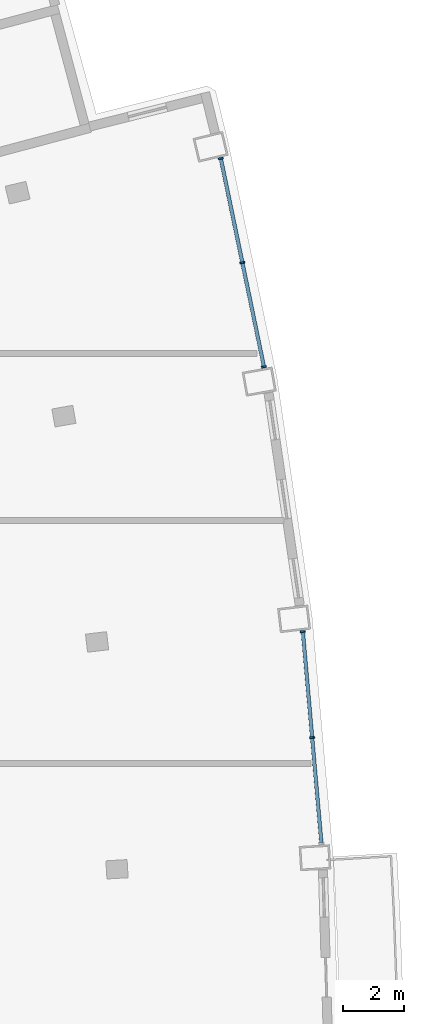
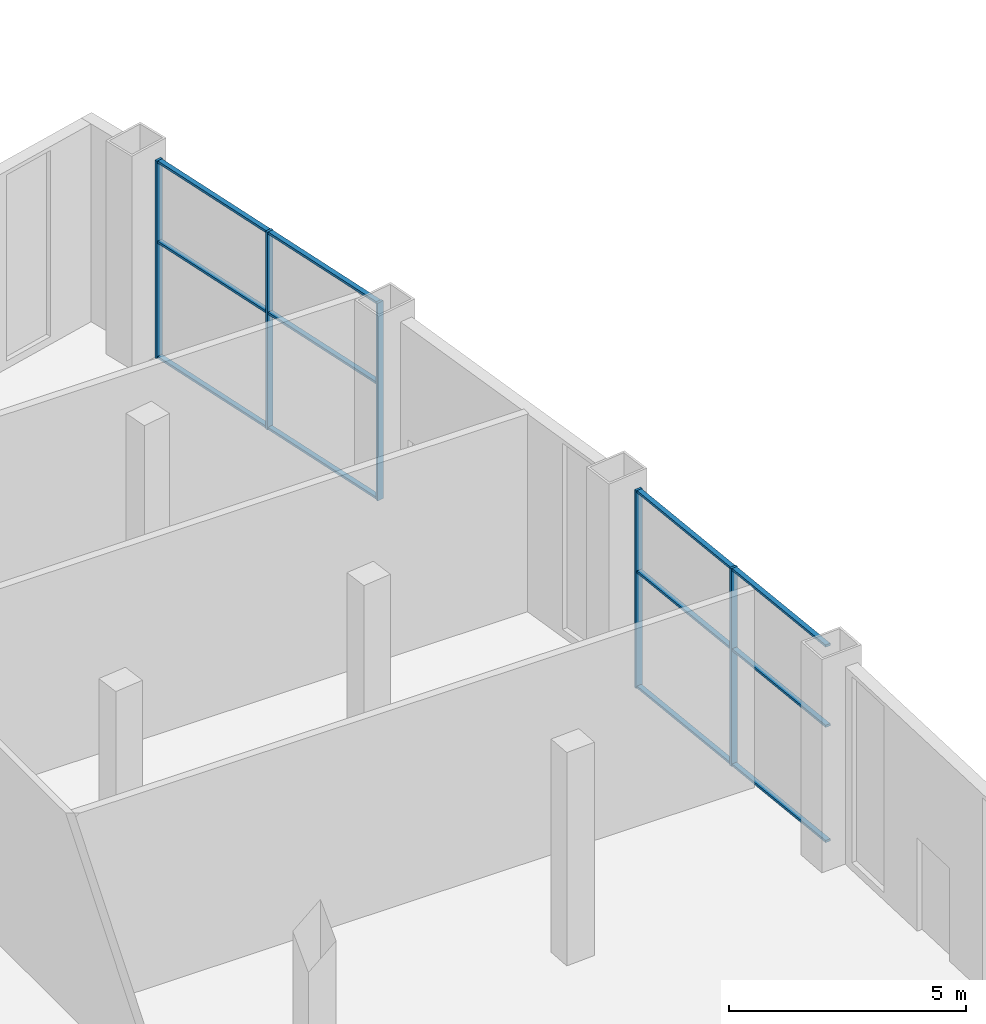
# One storey, part 4 of 13: 17 members, 2 elements without a shape of their own.
"""IFC4 building model written with IfcOpenShell, lengths in metres."""

import ifcopenshell
import ifcopenshell.guid

model = None  # the IFC model being written
_history = None  # IfcOwnerHistory: only IFC2X3 demands one
_inside = {}  # id of a spatial element -> (the spatial element, [elements in it])
_under = {}  # id of a project, library or spatial element -> (it, [spatial elements below it])
_declared = {}  # id of a project -> (the project, [libraries it declares])
_typed = {}  # id of a type object -> (the type object, [elements of that type])
_made_of = {}  # id of a material, layer set ... -> (it, [elements and type objects made of it])


def new_model(schema):
    """Start an empty IFC model of exactly this schema.

    Asked for "IFC4X3", IfcOpenShell would pick the latest addendum, in which some entities
    have other attributes; the version numbers below select the first issue.
    IFC2X3 requires an IfcOwnerHistory on every rooted entity: one is made here for all.
    """
    global model, _history
    if schema == "IFC4X3":
        model = ifcopenshell.file(schema_version=(4, 3, 0, 0))
    else:
        model = ifcopenshell.file(schema=schema)
    _inside.clear()
    _under.clear()
    _declared.clear()
    _typed.clear()
    _made_of.clear()
    _history = None
    if model.schema == "IFC2X3":
        org = make("IfcOrganization", Name="unknown")
        user = make(
            "IfcPersonAndOrganization",
            ThePerson=make("IfcPerson", FamilyName="unknown"),
            TheOrganization=org,
        )
        app = make(
            "IfcApplication",
            ApplicationDeveloper=org,
            Version="unknown",
            ApplicationFullName="unknown",
            ApplicationIdentifier="unknown",
        )
        _history = make(
            "IfcOwnerHistory",
            OwningUser=user,
            OwningApplication=app,
            ChangeAction="ADDED",
            CreationDate=0,
        )
    return model


def make(cls, **values):
    """One entity of the class cls with the attributes given. An attribute that is None is left unset."""
    return model.create_entity(
        cls, **{name: value for name, value in values.items() if value is not None}
    )


def rooted(cls, **values):
    """An entity with a GlobalId (a new one), such as an element, a storey or a relation."""
    return make(cls, GlobalId=ifcopenshell.guid.new(), OwnerHistory=_history, **values)


def si_unit(unit_type, name, prefix=None):
    """IfcSIUnit, for example si_unit("LENGTHUNIT", "METRE", prefix="MILLI")."""
    return make("IfcSIUnit", UnitType=unit_type, Prefix=prefix, Name=name)


def assignment(units):
    """IfcUnitAssignment: the units of a project."""
    return None if units is None else make("IfcUnitAssignment", Units=units)


def point(xyz):
    """IfcCartesianPoint."""
    return None if xyz is None else make("IfcCartesianPoint", Coordinates=xyz)


def direction(xyz):
    """IfcDirection."""
    return None if xyz is None else make("IfcDirection", DirectionRatios=xyz)


def frame(location, z_axis=None, x_axis=None):
    """IfcAxis2Placement3D, a coordinate frame: its origin and axes. An axis left out is left unset."""
    return make(
        "IfcAxis2Placement3D",
        Location=point(location),
        Axis=direction(z_axis),
        RefDirection=direction(x_axis),
    )


def frame_2d(location, x_axis=None):
    """IfcAxis2Placement2D, a coordinate frame in the plane: its origin and x axis."""
    return make(
        "IfcAxis2Placement2D", Location=point(location), RefDirection=direction(x_axis)
    )


def origin():
    """The frame at (0, 0, 0) with its axes left unset."""
    return frame((0.0, 0.0, 0.0))


def origin_2d():
    """The frame at (0, 0) in the plane with its x axis left unset."""
    return frame_2d((0.0, 0.0))


def place(relative_to, where):
    """IfcLocalPlacement: puts the frame where relative to a parent placement (None: the world)."""
    return make(
        "IfcLocalPlacement", PlacementRelTo=relative_to, RelativePlacement=where
    )


def context(
    kind, dimensions, precision=None, world=None, true_north=None, identifier=None
):
    """IfcGeometricRepresentationContext, for example the 3D "Model" context."""
    return make(
        "IfcGeometricRepresentationContext",
        ContextIdentifier=identifier,
        ContextType=kind,
        CoordinateSpaceDimension=dimensions,
        Precision=precision,
        WorldCoordinateSystem=world,
        TrueNorth=true_north,
    )


def subcontext(parent, identifier, kind, view, scale=None):
    """IfcGeometricRepresentationSubContext, for example "Body" below "Model"."""
    return make(
        "IfcGeometricRepresentationSubContext",
        ContextIdentifier=identifier,
        ContextType=kind,
        ParentContext=parent,
        TargetScale=scale,
        TargetView=view,
    )


def project(units=None, contexts=None):
    """IfcProject with its units and contexts."""
    return rooted(
        "IfcProject",
        Name="project",
        RepresentationContexts=contexts,
        UnitsInContext=assignment(units),
    )


def spatial(cls, under=None, at=None, **own):
    """A site, building, storey or space (cls), placed at a placement, below another one or the project."""
    s = rooted(cls, ObjectPlacement=at, **own)
    if under is not None:
        _under.setdefault(under.id(), (under, []))[1].append(s)
    return s


def profile(cls, at=None, kind="AREA", **sizes):
    """A parametric profile (cls). Its sizes go by their IFC names, for example OverallWidth=200.0."""
    return make(cls, ProfileType=kind, Position=at, **sizes)


def rectangle(**sizes):
    """IfcRectangleProfileDef."""
    return profile("IfcRectangleProfileDef", **sizes)


def extrude(swept, where, along, depth):
    """IfcExtrudedAreaSolid: the profile swept, set in the frame where, extruded along a direction by depth."""
    return make(
        "IfcExtrudedAreaSolid",
        SweptArea=swept,
        Position=where,
        ExtrudedDirection=direction(along),
        Depth=depth,
    )


def shape(context_of_items, identifier, shape_type, items):
    """IfcShapeRepresentation: the items that make up one representation, for example the "Body"."""
    return make(
        "IfcShapeRepresentation",
        ContextOfItems=context_of_items,
        RepresentationIdentifier=identifier,
        RepresentationType=shape_type,
        Items=items,
    )


def material(Name=None, Category=None):
    """IfcMaterial."""
    return make("IfcMaterial", Name=Name, Category=Category)


def layer(
    of_material, thickness, ventilated=None, Name=None, Category=None, Priority=None
):
    """IfcMaterialLayer: one layer of a wall or slab, of a material (None: an air gap)."""
    return make(
        "IfcMaterialLayer",
        Material=of_material,
        LayerThickness=thickness,
        IsVentilated=ventilated,
        Name=Name,
        Category=Category,
        Priority=Priority,
    )


def layer_set(layers, Name=None):
    """IfcMaterialLayerSet."""
    return make("IfcMaterialLayerSet", MaterialLayers=layers, LayerSetName=Name)


def material_profile(
    of_material, cross_section, Name=None, Category=None, Priority=None
):
    """IfcMaterialProfile: a cross section and its material."""
    return make(
        "IfcMaterialProfile",
        Name=Name,
        Material=of_material,
        Profile=cross_section,
        Priority=Priority,
        Category=Category,
    )


def profile_set(profiles, Name=None, composite=None):
    """IfcMaterialProfileSet."""
    return make(
        "IfcMaterialProfileSet",
        Name=Name,
        MaterialProfiles=profiles,
        CompositeProfile=composite,
    )


def made_of(thing, what):
    """Note that an element or type object is made of a material, layer set ...; save() writes the relation."""
    if what is not None:
        _made_of.setdefault(what.id(), (what, []))[1].append(thing)
    return thing


def type_object(cls, material=None, **own):
    """A type object (cls), such as IfcWallType, which elements share."""
    return made_of(rooted(cls, **own), material)


def element(
    cls,
    number,
    at=None,
    inside=None,
    cuts=None,
    type_object=None,
    material=None,
    context=None,
    identifier="Body",
    shape_type=None,
    held_by="IfcProductDefinitionShape",
    body=None,
    shapes=None,
    **own,
):
    """One element of the class cls, such as IfcWall. Its Tag is "e" and its number.

    at: its placement. inside: the storey or other place that contains it. cuts: it is an
    opening in that element (IfcRelVoidsElement). A single representation is given by context,
    identifier, shape_type and body (its items); several are given by shapes. held_by: the class
    of the entity that holds the representations. save() writes the other relations.
    """
    e = rooted(cls, Tag="e%d" % number, ObjectPlacement=at, **own)
    if body is not None:
        shapes = [shape(context, identifier, shape_type, body)]
    if shapes is not None:
        e.Representation = make(held_by, Representations=shapes)
    if inside is not None:
        _inside.setdefault(inside.id(), (inside, []))[1].append(e)
    if cuts is not None:
        rooted(
            "IfcRelVoidsElement", RelatingBuildingElement=cuts, RelatedOpeningElement=e
        )
    if type_object is not None:
        _typed.setdefault(type_object.id(), (type_object, []))[1].append(e)
    return made_of(e, material)


def aggregate(whole, parts):
    """IfcRelAggregates: a whole, such as a stair, and the parts it consists of."""
    return rooted("IfcRelAggregates", RelatingObject=whole, RelatedObjects=parts)


def save(model, path):
    """Write the relations noted so far, then the file.

    IfcRelAggregates (storeys below a building ...), IfcRelContainedInSpatialStructure (elements
    in a storey), IfcRelDefinesByType, IfcRelAssociatesMaterial and IfcRelDeclares: one each for
    every whole, place, type object, material and project.
    """
    for whole, parts in _under.values():
        aggregate(whole, parts)
    for where, things in _inside.values():
        rooted(
            "IfcRelContainedInSpatialStructure",
            RelatedElements=things,
            RelatingStructure=where,
        )
    for kind, things in _typed.values():
        rooted("IfcRelDefinesByType", RelatedObjects=things, RelatingType=kind)
    for what, things in _made_of.values():
        rooted("IfcRelAssociatesMaterial", RelatedObjects=things, RelatingMaterial=what)
    for by, libraries in _declared.values():
        rooted("IfcRelDeclares", RelatingContext=by, RelatedDefinitions=libraries)
    model.write(path)


model = new_model("IFC4")

# Units and contexts
model_context = context("Model", 3, precision=1e-05, world=origin(), true_north=direction((0.0, 1.0)))
body_context = subcontext(model_context, "Body", "Model", "MODEL_VIEW")
ifc_project = project(units=[si_unit("LENGTHUNIT", "METRE"), si_unit("AREAUNIT", "SQUARE_METRE"), si_unit("VOLUMEUNIT", "CUBIC_METRE"), si_unit("PLANEANGLEUNIT", "RADIAN"), si_unit("MASSUNIT", "GRAM", prefix="KILO")], contexts=[model_context])

# Site, building, storey
site_placement = place(None, origin())
site = spatial("IfcSite", under=ifc_project, at=site_placement, CompositionType="ELEMENT")
building_placement = place(site_placement, origin())
building = spatial("IfcBuilding", under=site, at=building_placement, Name="Alderwake Tower", CompositionType="ELEMENT")
storey_placement = place(building_placement, frame((0.0, 0.0, 304.5)))
storey = spatial("IfcBuildingStorey", under=building, at=storey_placement, Name="L74", CompositionType="ELEMENT", Elevation=304.5)

# Curtain wall, members
ifc_material_1 = material(Name="Bronze tinted glass in aluminium frame", Category="aluminium")
ifc_layer = layer(ifc_material_1, 0.199951171875)
ifc_layer_set = layer_set([ifc_layer], Name="Curtain wall CW5 sky amenity glazing")
curtain_wall_type = type_object("IfcCurtainWallType", Name="Curtain wall CW5 sky amenity glazing", PredefinedType="NOTDEFINED", material=ifc_layer_set)
curtain_wall_1_placement = place(storey_placement, origin())
curtain_wall_1 = element("IfcCurtainWall", 1, at=curtain_wall_1_placement, inside=storey, type_object=curtain_wall_type, Name="Curtain wall 3", PredefinedType="NOTDEFINED")
ifc_material_2 = material(Name="Aluminium bronze anodised", Category="aluminium")
ifc_material_profile_1 = material_profile(ifc_material_2, rectangle(XDim=0.159912109375, YDim=0.06005859375, at=origin_2d()), Name="Mullion MUE 60x160")
ifc_profile_set_1 = profile_set([ifc_material_profile_1], Name="Aluminium bronze anodised")
member_type_1 = type_object("IfcMemberType", Name="Mullion MUE 60x160", PredefinedType="MULLION", material=ifc_profile_set_1)
member_1_placement = place(storey_placement, frame((55.073486328125, 72.849365234375, 0.0), z_axis=(0.0, 0.0, 1.0), x_axis=(-0.996174205388, -0.087389659115, 0.0)))
member_1 = element("IfcMember", 2, at=member_1_placement, type_object=member_type_1, Name="CW.03 mullion 2", PredefinedType="MULLION", context=body_context, shape_type="SweptSolid", body=[
    extrude(rectangle(XDim=0.159912109375, YDim=0.06005859375, at=origin_2d()), origin(), (0.0, 0.0, 1.0), 5.10009765625),
])
member_2_placement = place(storey_placement, frame((54.767333984375, 76.340087890625, 0.0), z_axis=(0.0, 0.0, 1.0), x_axis=(-0.996174205388, -0.087389659115, 0.0)))
member_2 = element("IfcMember", 3, at=member_2_placement, type_object=member_type_1, Name="CW.03 mullion 3", PredefinedType="MULLION", context=body_context, shape_type="SweptSolid", body=[
    extrude(rectangle(XDim=0.159912109375, YDim=0.06005859375, at=origin_2d()), origin(), (0.0, 0.0, 1.0), 5.10009765625),
])

curtain_wall_2_placement = place(storey_placement, origin())
curtain_wall_2 = element("IfcCurtainWall", 4, at=curtain_wall_2_placement, inside=storey, type_object=curtain_wall_type, Name="Curtain wall 4", PredefinedType="NOTDEFINED")
member_3_placement = place(storey_placement, frame((53.486572265625, 85.06005859375, 0.0), z_axis=(0.0, 0.0, 1.0), x_axis=(-0.979228273012, -0.202760916683, 0.0)))
member_3 = element("IfcMember", 5, at=member_3_placement, type_object=member_type_1, Name="CW.04 mullion 1", PredefinedType="MULLION", context=body_context, shape_type="SweptSolid", body=[
    extrude(rectangle(XDim=0.159912109375, YDim=0.06005859375, at=origin_2d()), origin(), (0.0, 0.0, 1.0), 5.10009765625),
])
member_4_placement = place(storey_placement, frame((52.776123046875, 88.491455078125, 0.0), z_axis=(0.0, 0.0, 1.0), x_axis=(-0.979228273012, -0.202760916683, 0.0)))
member_4 = element("IfcMember", 6, at=member_4_placement, type_object=member_type_1, Name="CW.04 mullion 2", PredefinedType="MULLION", context=body_context, shape_type="SweptSolid", body=[
    extrude(rectangle(XDim=0.159912109375, YDim=0.06005859375, at=origin_2d()), origin(), (0.0, 0.0, 1.0), 5.10009765625),
])
member_5_placement = place(storey_placement, frame((52.065673828125, 91.9228515625, 0.0), z_axis=(0.0, 0.0, 1.0), x_axis=(-0.979228273012, -0.202760916683, 0.0)))
member_5 = element("IfcMember", 7, at=member_5_placement, type_object=member_type_1, Name="CW.04 mullion 3", PredefinedType="MULLION", context=body_context, shape_type="SweptSolid", body=[
    extrude(rectangle(XDim=0.159912109375, YDim=0.06005859375, at=origin_2d()), origin(), (0.0, 0.0, 1.0), 5.10009765625),
])

# Member
ifc_material_3 = material(Name="Aluminium bronze anodised", Category="aluminium")
ifc_material_profile_2 = material_profile(ifc_material_3, rectangle(XDim=0.1201171875, YDim=0.06005859375, at=origin_2d()), Name="Transom TRE 60x120")
ifc_profile_set_2 = profile_set([ifc_material_profile_2], Name="Aluminium bronze anodised")
member_type_2 = type_object("IfcMemberType", Name="Transom TRE 60x120", PredefinedType="USERDEFINED", material=ifc_profile_set_2)
member_6_placement = place(storey_placement, frame((55.377197265625, 69.388427734375, 0.030029296875), z_axis=(-0.087403493823, 0.996172991637, 0.0), x_axis=(-0.996172991637, -0.087403493823, 0.0)))
member_6 = element("IfcMember", 8, at=member_6_placement, type_object=member_type_2, Name="CW.03 transom 1.1", ObjectType="TRANSOM", PredefinedType="USERDEFINED", context=body_context, shape_type="SweptSolid", body=[
    extrude(rectangle(XDim=0.1201171875, YDim=0.06005859375, at=origin_2d()), origin(), (0.0, 0.0, 1.0), 3.444091796875),
])

member_7_placement = place(storey_placement, frame((55.377197265625, 69.388427734375, 3.0), z_axis=(-0.087403493823, 0.996172991637, 0.0), x_axis=(-0.996172991637, -0.087403493823, 0.0)))
member_7 = element("IfcMember", 9, at=member_7_placement, type_object=member_type_2, Name="CW.03 transom 1.2", ObjectType="TRANSOM", PredefinedType="USERDEFINED", context=body_context, shape_type="SweptSolid", body=[
    extrude(rectangle(XDim=0.1201171875, YDim=0.06005859375, at=origin_2d()), origin(), (0.0, 0.0, 1.0), 3.444091796875),
])

member_8_placement = place(storey_placement, frame((55.377197265625, 69.388427734375, 5.070068359375), z_axis=(-0.087403493823, 0.996172991637, 0.0), x_axis=(-0.996172991637, -0.087403493823, 0.0)))
member_8 = element("IfcMember", 10, at=member_8_placement, type_object=member_type_2, Name="CW.03 transom 1.3", ObjectType="TRANSOM", PredefinedType="USERDEFINED", context=body_context, shape_type="SweptSolid", body=[
    extrude(rectangle(XDim=0.1201171875, YDim=0.06005859375, at=origin_2d()), origin(), (0.0, 0.0, 1.0), 3.444091796875),
])

member_9_placement = place(storey_placement, frame((55.071044921875, 72.879150390625, 0.030029296875), z_axis=(-0.087403493823, 0.996172991637, 0.0), x_axis=(-0.996172991637, -0.087403493823, 0.0)))
member_9 = element("IfcMember", 11, at=member_9_placement, type_object=member_type_2, Name="CW.03 transom 2.1", ObjectType="TRANSOM", PredefinedType="USERDEFINED", context=body_context, shape_type="SweptSolid", body=[
    extrude(rectangle(XDim=0.1201171875, YDim=0.06005859375, at=origin_2d()), origin(), (0.0, 0.0, 1.0), 3.444091796875),
])

member_10_placement = place(storey_placement, frame((55.071044921875, 72.879150390625, 3.0), z_axis=(-0.087403493823, 0.996172991637, 0.0), x_axis=(-0.996172991637, -0.087403493823, 0.0)))
member_10 = element("IfcMember", 12, at=member_10_placement, type_object=member_type_2, Name="CW.03 transom 2.2", ObjectType="TRANSOM", PredefinedType="USERDEFINED", context=body_context, shape_type="SweptSolid", body=[
    extrude(rectangle(XDim=0.1201171875, YDim=0.06005859375, at=origin_2d()), origin(), (0.0, 0.0, 1.0), 3.444091796875),
])

member_11_placement = place(storey_placement, frame((55.071044921875, 72.879150390625, 5.070068359375), z_axis=(-0.087403493823, 0.996172991637, 0.0), x_axis=(-0.996172991637, -0.087403493823, 0.0)))
member_11 = element("IfcMember", 13, at=member_11_placement, type_object=member_type_2, Name="CW.03 transom 2.3", ObjectType="TRANSOM", PredefinedType="USERDEFINED", context=body_context, shape_type="SweptSolid", body=[
    extrude(rectangle(XDim=0.1201171875, YDim=0.06005859375, at=origin_2d()), origin(), (0.0, 0.0, 1.0), 3.444091796875),
])

aggregate(curtain_wall_1, [member_1, member_2, member_6, member_7, member_8, member_9, member_10, member_11])

member_12_placement = place(storey_placement, frame((53.48046875, 85.08935546875, 0.030029296875), z_axis=(-0.202722796474, 0.979236165483, 0.0), x_axis=(-0.979236165483, -0.202722796474, 0.0)))
member_12 = element("IfcMember", 14, at=member_12_placement, type_object=member_type_2, Name="CW.04 transom 1.1", ObjectType="TRANSOM", PredefinedType="USERDEFINED", context=body_context, shape_type="SweptSolid", body=[
    extrude(rectangle(XDim=0.1201171875, YDim=0.06005859375, at=origin_2d()), origin(), (0.0, 0.0, 1.0), 3.4443359375),
])

member_13_placement = place(storey_placement, frame((53.48046875, 85.08935546875, 3.0), z_axis=(-0.202722796474, 0.979236165483, 0.0), x_axis=(-0.979236165483, -0.202722796474, 0.0)))
member_13 = element("IfcMember", 15, at=member_13_placement, type_object=member_type_2, Name="CW.04 transom 1.2", ObjectType="TRANSOM", PredefinedType="USERDEFINED", context=body_context, shape_type="SweptSolid", body=[
    extrude(rectangle(XDim=0.1201171875, YDim=0.06005859375, at=origin_2d()), origin(), (0.0, 0.0, 1.0), 3.4443359375),
])

member_14_placement = place(storey_placement, frame((53.48046875, 85.08935546875, 5.070068359375), z_axis=(-0.202722796474, 0.979236165483, 0.0), x_axis=(-0.979236165483, -0.202722796474, 0.0)))
member_14 = element("IfcMember", 16, at=member_14_placement, type_object=member_type_2, Name="CW.04 transom 1.3", ObjectType="TRANSOM", PredefinedType="USERDEFINED", context=body_context, shape_type="SweptSolid", body=[
    extrude(rectangle(XDim=0.1201171875, YDim=0.06005859375, at=origin_2d()), origin(), (0.0, 0.0, 1.0), 3.4443359375),
])

member_15_placement = place(storey_placement, frame((52.77001953125, 88.52099609375, 0.030029296875), z_axis=(-0.202736868482, 0.979233252171, 0.0), x_axis=(-0.979233252171, -0.202736868482, 0.0)))
member_15 = element("IfcMember", 17, at=member_15_placement, type_object=member_type_2, Name="CW.04 transom 2.1", ObjectType="TRANSOM", PredefinedType="USERDEFINED", context=body_context, shape_type="SweptSolid", body=[
    extrude(rectangle(XDim=0.1201171875, YDim=0.06005859375, at=origin_2d()), origin(), (0.0, 0.0, 1.0), 3.444091796875),
])

member_16_placement = place(storey_placement, frame((52.77001953125, 88.52099609375, 3.0), z_axis=(-0.202736868482, 0.979233252171, 0.0), x_axis=(-0.979233252171, -0.202736868482, 0.0)))
member_16 = element("IfcMember", 18, at=member_16_placement, type_object=member_type_2, Name="CW.04 transom 2.2", ObjectType="TRANSOM", PredefinedType="USERDEFINED", context=body_context, shape_type="SweptSolid", body=[
    extrude(rectangle(XDim=0.1201171875, YDim=0.06005859375, at=origin_2d()), origin(), (0.0, 0.0, 1.0), 3.444091796875),
])

member_17_placement = place(storey_placement, frame((52.77001953125, 88.52099609375, 5.070068359375), z_axis=(-0.202736868482, 0.979233252171, 0.0), x_axis=(-0.979233252171, -0.202736868482, 0.0)))
member_17 = element("IfcMember", 19, at=member_17_placement, type_object=member_type_2, Name="CW.04 transom 2.3", ObjectType="TRANSOM", PredefinedType="USERDEFINED", context=body_context, shape_type="SweptSolid", body=[
    extrude(rectangle(XDim=0.1201171875, YDim=0.06005859375, at=origin_2d()), origin(), (0.0, 0.0, 1.0), 3.444091796875),
])

aggregate(curtain_wall_2, [member_3, member_4, member_5, member_12, member_13, member_14, member_15, member_16, member_17])

save(model, "model.ifc")
